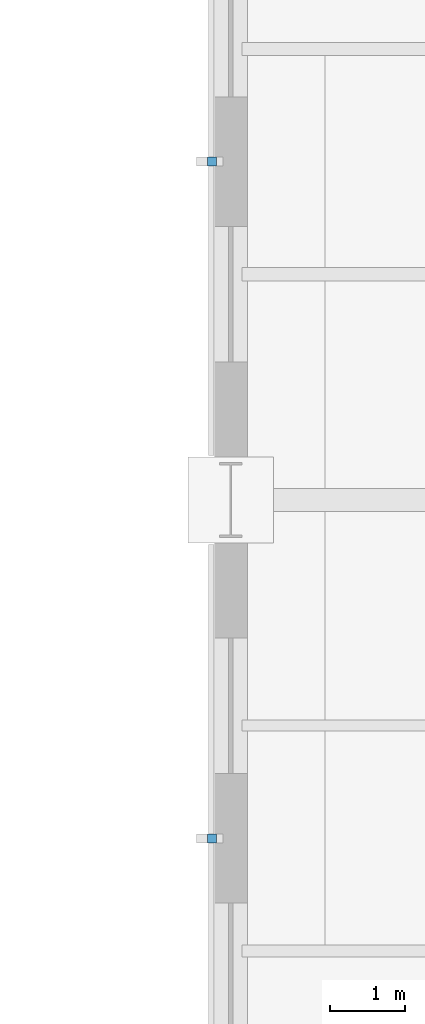
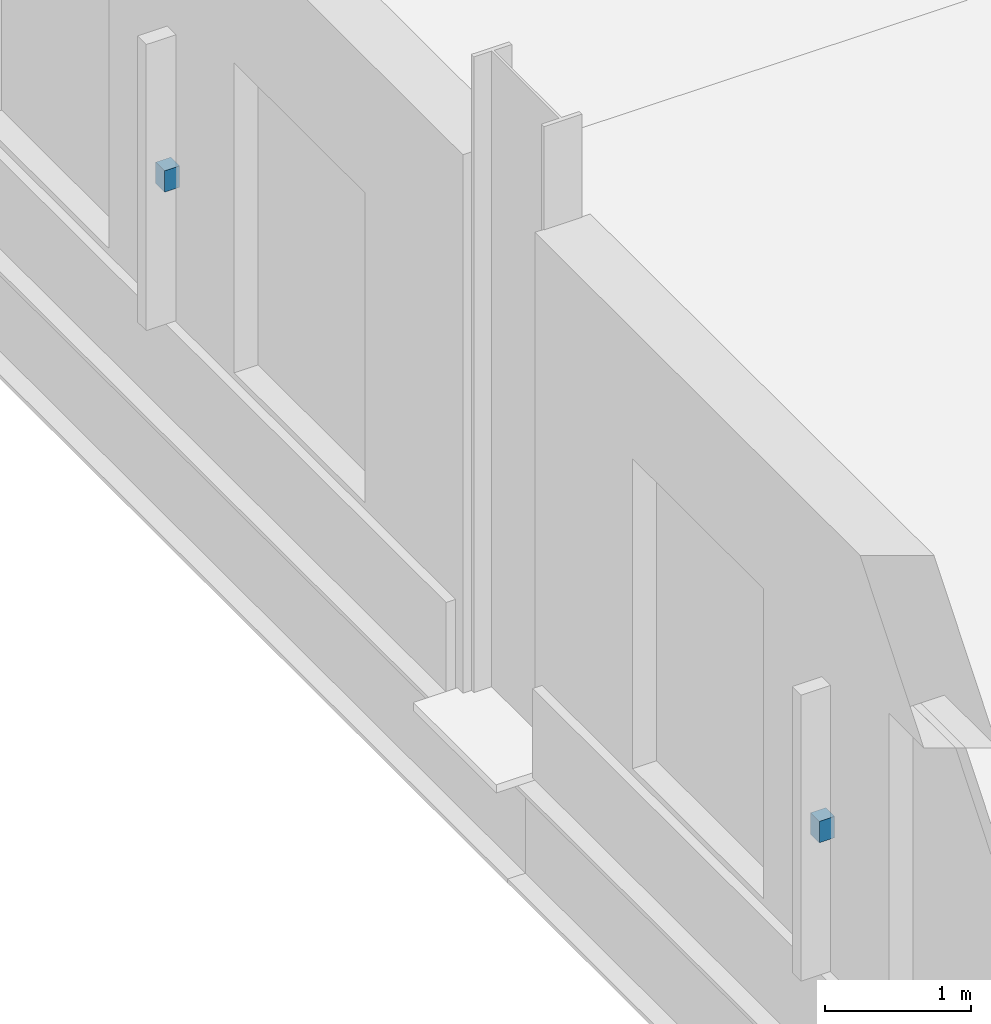
# One storey, part 128 of 141: 2 discrete accessories.
"""IFC4 building model written with IfcOpenShell, lengths in metres."""

from ifc_helpers import new_model, si_unit, direction, frame, origin, origin_2d, place, context, subcontext, project, spatial, rectangle, extrude, material, type_object, element, save


model = new_model("IFC4")

# Units and contexts
model_context = context("Model", 3, precision=1e-05, world=origin(), true_north=direction((0.0, 1.0)))
body_context = subcontext(model_context, "Body", "Model", "MODEL_VIEW")
ifc_project = project(units=[si_unit("LENGTHUNIT", "METRE"), si_unit("AREAUNIT", "SQUARE_METRE"), si_unit("VOLUMEUNIT", "CUBIC_METRE"), si_unit("PLANEANGLEUNIT", "RADIAN"), si_unit("MASSUNIT", "GRAM", prefix="KILO")], contexts=[model_context])

# Site, building, storey
site_placement = place(None, origin())
site = spatial("IfcSite", under=ifc_project, at=site_placement, CompositionType="ELEMENT")
building_placement = place(site_placement, origin())
building = spatial("IfcBuilding", under=site, at=building_placement, Name="Sundgate Opera House", CompositionType="ELEMENT")
storey_placement = place(building_placement, frame((0.0, 0.0, 11.39990234375)))
storey = spatial("IfcBuildingStorey", under=building, at=storey_placement, Name="L02", CompositionType="ELEMENT", Elevation=11.39990234375)

# Discrete accessories
ifc_material = material(Name="Stainless steel EN 1.4404 bracket", Category="steel")
discrete_accessory_type = type_object("IfcDiscreteAccessoryType", Name="AC-BRACKET-SS", PredefinedType="BRACKET", material=ifc_material)
for number, where, z_axis, x_axis, name in (
    (1, (26.75, 64.5, 1.91015625), (0.0, 0.0, 1.0), (1.0, 0.0, 0.0), "L02 Brise-Soleil Anchor Bracket BR0007"),
    (2, (26.75, 73.5, 1.91015625), (0.0, 0.0, 1.0), (1.0, 0.0, 0.0), "L02 Brise-Soleil Anchor Bracket BR0008"),
):
    element("IfcDiscreteAccessory", number, at=place(storey_placement, frame(where, z_axis=z_axis, x_axis=x_axis)), inside=storey, type_object=discrete_accessory_type, Name=name, PredefinedType="BRACKET", context=body_context, shape_type="SweptSolid", body=[
        extrude(rectangle(XDim=0.1201171875, YDim=0.1201171875, at=origin_2d()), origin(), (0.0, 0.0, 1.0), 0.179931640625),
    ])

save(model, "model.ifc")
